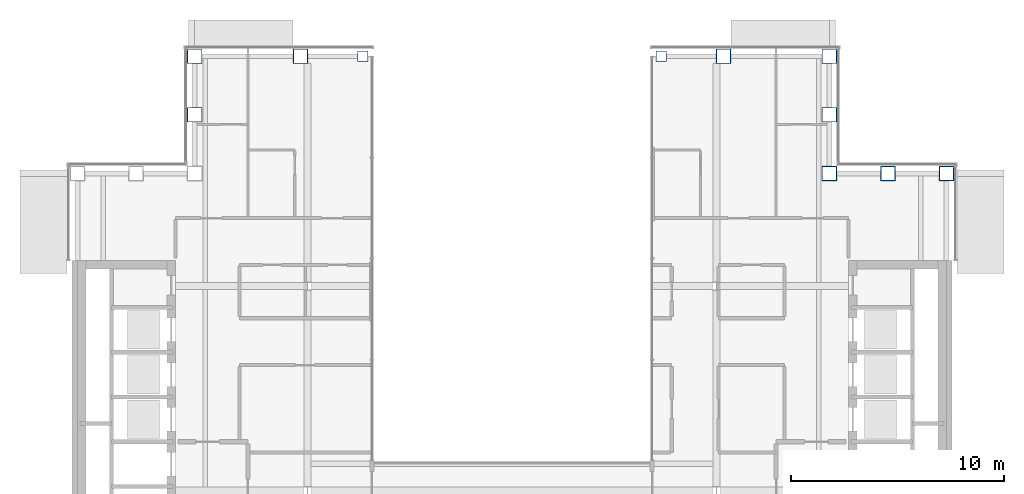
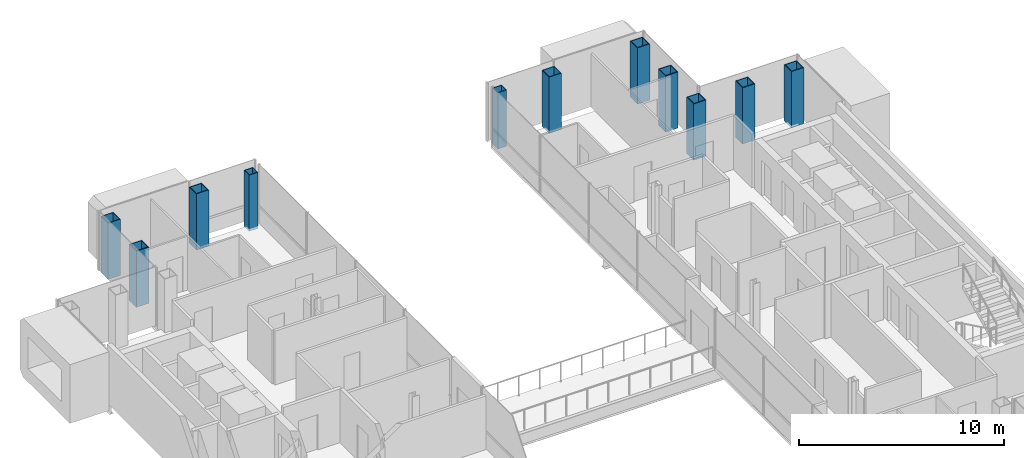
# One storey, part 2 of 17: 11 columns.
"""IFC4 building model written with IfcOpenShell, lengths in metres."""

from ifc_helpers import new_model, si_unit, direction, frame, origin, origin_2d, place, context, subcontext, project, spatial, hollow_rectangle, extrude, material, material_profile, profile_set, type_object, element, save


model = new_model("IFC4")

# Units and contexts
model_context = context("Model", 3, precision=1e-05, world=origin(), true_north=direction((0.0, 1.0)))
body_context = subcontext(model_context, "Body", "Model", "MODEL_VIEW")
ifc_project = project(units=[si_unit("LENGTHUNIT", "METRE"), si_unit("AREAUNIT", "SQUARE_METRE"), si_unit("VOLUMEUNIT", "CUBIC_METRE"), si_unit("PLANEANGLEUNIT", "RADIAN"), si_unit("MASSUNIT", "GRAM", prefix="KILO")], contexts=[model_context])

# Site, building, storey
site_placement = place(None, origin())
site = spatial("IfcSite", under=ifc_project, at=site_placement, CompositionType="ELEMENT")
building_placement = place(site_placement, origin())
building = spatial("IfcBuilding", under=site, at=building_placement, Name="Cobrizo Arcos Hotel Tower", CompositionType="ELEMENT")
storey_placement = place(building_placement, frame((0.0, 0.0, 233.0)))
storey = spatial("IfcBuildingStorey", under=building, at=storey_placement, Name="L61", CompositionType="ELEMENT", Elevation=233.0)

# Columns
ifc_material = material(Name="Steel ASTM A572 Grade 50", Category="steel")
ifc_material_profile_1 = material_profile(ifc_material, hollow_rectangle(XDim=0.5, YDim=0.5, WallThickness=0.030029296875, at=origin_2d()), Name="BOX 500X500X30")
ifc_profile_set_1 = profile_set([ifc_material_profile_1], Name="Steel ASTM A572 Grade 50")
column_type_1 = type_object("IfcColumnType", Name="BOX 500X500X30 column", PredefinedType="COLUMN", material=ifc_profile_set_1)
for number, where, z_axis, x_axis, name in (
    (1, (-7.0, 20.39990234375, -0.14990234375), (0.0, 0.0, 1.0), (1.0, 0.0, 0.0), "Perimeter column C11, L61, no. 24"),
    (2, (7.0, 20.39990234375, -0.14990234375), (0.0, 0.0, 1.0), (1.0, 0.0, 0.0), "Perimeter column C11, L61, no. 26"),
):
    element("IfcColumn", number, at=place(storey_placement, frame(where, z_axis=z_axis, x_axis=x_axis)), inside=storey, type_object=column_type_1, Name=name, PredefinedType="COLUMN", context=body_context, shape_type="SweptSolid", body=[
        extrude(hollow_rectangle(XDim=0.5, YDim=0.5, WallThickness=0.030029296875, at=origin_2d()), origin(), (0.0, 0.0, 1.0), 3.349853515625),
    ])
ifc_material_profile_2 = material_profile(ifc_material, hollow_rectangle(XDim=0.699951171875, YDim=0.699951171875, WallThickness=0.0400390625, at=origin_2d()), Name="BOX 700X700X40")
ifc_profile_set_2 = profile_set([ifc_material_profile_2], Name="Steel ASTM A572 Grade 50")
column_type_2 = type_object("IfcColumnType", Name="BOX 700X700X40 column", PredefinedType="COLUMN", material=ifc_profile_set_2)
for number, where, z_axis, x_axis, name in (
    (3, (-14.89990234375, 20.39990234375, -0.14990234375), (0.0, 0.0, 1.0), (1.0, 0.0, 0.0), "Perimeter column C10, L61, no. 00"),
    (4, (-9.93310546875, 20.39990234375, -0.14990234375), (0.0, 0.0, 1.0), (1.0, 0.0, 0.0), "Perimeter column C10, L61, no. 02"),
    (5, (9.93310546875, 20.39990234375, -0.14990234375), (0.0, 0.0, 1.0), (1.0, 0.0, 0.0), "Perimeter column C10, L61, no. 04"),
    (6, (14.89990234375, 20.39990234375, -0.14990234375), (0.0, 0.0, 1.0), (1.0, 0.0, 0.0), "Perimeter column C10, L61, no. 06"),
    (7, (20.39990234375, 14.89990234375, -0.14990234375), (0.0, 0.0, 1.0), (1.0, 0.0, 0.0), "Perimeter column C10, L61, no. 10"),
    (8, (-14.89990234375, 17.64990234375, -0.14990234375), (0.0, 0.0, 1.0), (1.0, 0.0, 0.0), "Perimeter column C10, L61, no. 16"),
    (9, (14.89990234375, 14.89990234375, -0.14990234375), (0.0, 0.0, 1.0), (1.0, 0.0, 0.0), "Perimeter column C10, L61, no. 21"),
    (10, (14.89990234375, 17.64990234375, -0.14990234375), (0.0, 0.0, 1.0), (1.0, 0.0, 0.0), "Perimeter column C10, L61, no. 22"),
    (11, (17.64990234375, 14.89990234375, -0.14990234375), (0.0, 0.0, 1.0), (1.0, 0.0, 0.0), "Perimeter column C10, L61, no. 23"),
):
    element("IfcColumn", number, at=place(storey_placement, frame(where, z_axis=z_axis, x_axis=x_axis)), inside=storey, type_object=column_type_2, Name=name, PredefinedType="COLUMN", context=body_context, shape_type="SweptSolid", body=[
        extrude(hollow_rectangle(XDim=0.699951171875, YDim=0.699951171875, WallThickness=0.0400390625, at=origin_2d()), origin(), (0.0, 0.0, 1.0), 3.349853515625),
    ])

save(model, "model.ifc")
